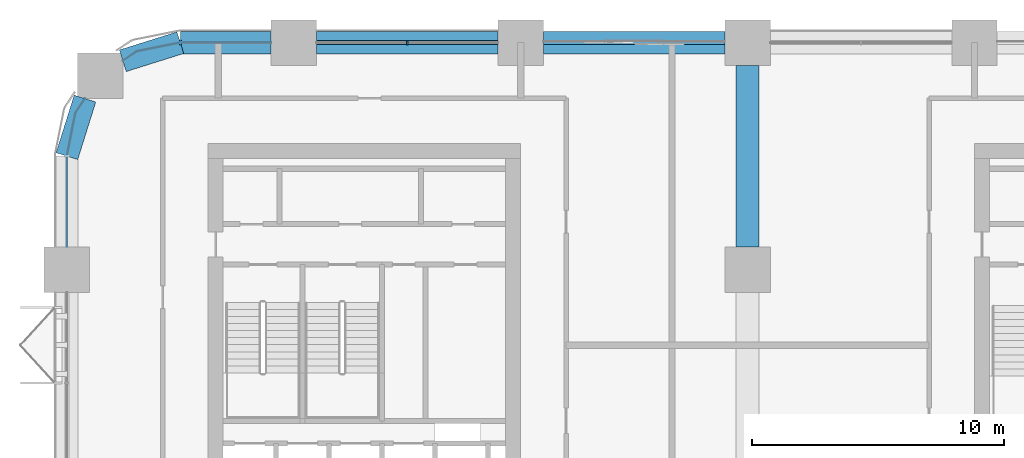
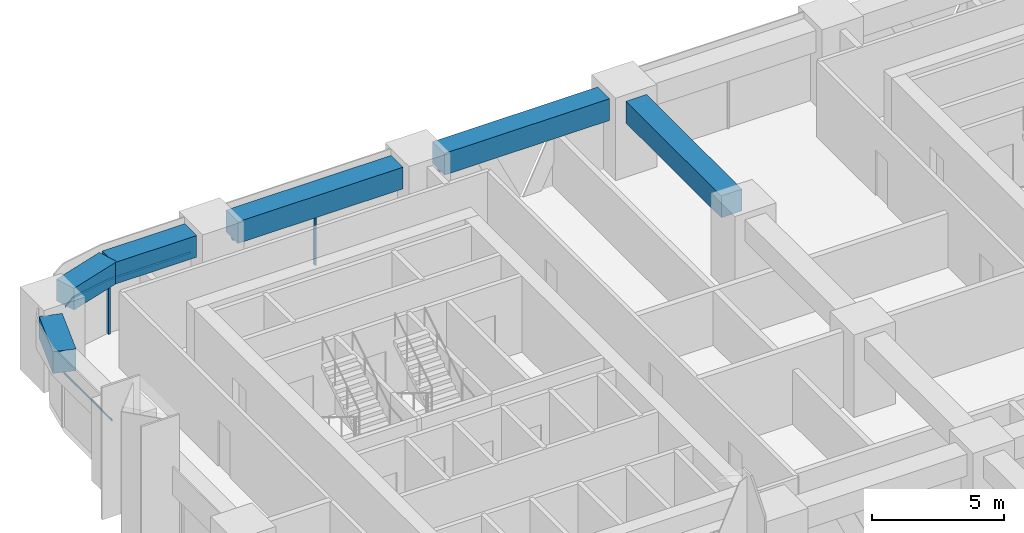
# One storey, part 7 of 18: 6 beams, 6 members, 4 elements without a shape of their own.
"""IFC4 building model written with IfcOpenShell, lengths in metres."""

from ifc_helpers import new_model, si_unit, direction, frame, origin, origin_2d, place, context, subcontext, project, spatial, polyline, rectangle, outline, extrude, material, material_profile, profile_set, type_object, element, aggregate, save


model = new_model("IFC4")

# Units and contexts
model_context = context("Model", 3, precision=1e-05, world=origin(), true_north=direction((0.0, 1.0)))
body_context = subcontext(model_context, "Body", "Model", "MODEL_VIEW")
ifc_project = project(units=[si_unit("LENGTHUNIT", "METRE"), si_unit("AREAUNIT", "SQUARE_METRE"), si_unit("VOLUMEUNIT", "CUBIC_METRE"), si_unit("PLANEANGLEUNIT", "RADIAN"), si_unit("MASSUNIT", "GRAM", prefix="KILO")], contexts=[model_context])

# Site, building, storey
site_placement = place(None, origin())
site = spatial("IfcSite", under=ifc_project, at=site_placement, CompositionType="ELEMENT")
building_placement = place(site_placement, origin())
building = spatial("IfcBuilding", under=site, at=building_placement, Name="Tessera Arch", CompositionType="ELEMENT")
storey_placement = place(building_placement, frame((0.0, 0.0, 115.800048828125)))
storey = spatial("IfcBuildingStorey", under=building, at=storey_placement, Name="L27", CompositionType="ELEMENT", Elevation=115.800048828125)

# Curtain wall, members
ifc_material_1 = material(Name="CW1 curtain wall")
curtain_wall_type_1 = type_object("IfcCurtainWallType", Name="CW1 curtain wall", PredefinedType="NOTDEFINED", material=ifc_material_1)
curtain_wall_1_placement = place(storey_placement, origin())
curtain_wall_1 = element("IfcCurtainWall", 1, at=curtain_wall_1_placement, inside=storey, type_object=curtain_wall_type_1, Name="CW1 curtain wall N54.0/3 L27", PredefinedType="NOTDEFINED")
ifc_material_2 = material(Name="Anodised aluminium pale metal", Category="aluminium")
ifc_material_profile_1 = material_profile(ifc_material_2, rectangle(XDim=0.159912109375, YDim=0.06005859375, at=origin_2d()), Name="AL 60x160")
ifc_profile_set_1 = profile_set([ifc_material_profile_1], Name="Anodised aluminium pale metal")
member_type_1 = type_object("IfcMemberType", Name="CW1 mullion", PredefinedType="MULLION", material=ifc_profile_set_1)
member_1_placement = place(storey_placement, frame((13.5, 54.0, 0.0), z_axis=(0.0, 0.0, 1.0), x_axis=(0.0, -1.0, 0.0)))
member_1 = element("IfcMember", 2, at=member_1_placement, type_object=member_type_1, Name="CW1 mullion N54.0/3 1", PredefinedType="MULLION", context=body_context, shape_type="SweptSolid", body=[
    extrude(rectangle(XDim=0.159912109375, YDim=0.06005859375, at=origin_2d()), origin(), (0.0, 0.0, 1.0), 2.39990234375),
])
ifc_material_3 = material(Name="Anodised aluminium pale metal", Category="aluminium")
ifc_material_profile_2 = material_profile(ifc_material_3, rectangle(XDim=0.159912109375, YDim=0.10009765625, at=origin_2d()), Name="AL 160x100")
ifc_profile_set_2 = profile_set([ifc_material_profile_2], Name="Anodised aluminium pale metal")
member_type_2 = type_object("IfcMemberType", Name="CW1 transom", PredefinedType="USERDEFINED", material=ifc_profile_set_2)
member_2_placement = place(storey_placement, frame((17.10009765625, 54.0, 2.449951171875), z_axis=(-1.0, 0.0, 0.0), x_axis=(0.0, -1.0, 0.0)))
member_2 = element("IfcMember", 3, at=member_2_placement, type_object=member_type_2, Name="CW1 transom N54.0/3 1.1", ObjectType="TRANSOM", PredefinedType="USERDEFINED", context=body_context, shape_type="SweptSolid", body=[
    extrude(rectangle(XDim=0.159912109375, YDim=0.10009765625, at=origin_2d()), origin(), (0.0, 0.0, 1.0), 7.2001953125),
])
aggregate(curtain_wall_1, [member_1, member_2])

ifc_material_4 = material(Name="CW2 curtain wall")
curtain_wall_type_2 = type_object("IfcCurtainWallType", Name="CW2 curtain wall", PredefinedType="NOTDEFINED", material=ifc_material_4)
curtain_wall_2_placement = place(storey_placement, origin())
curtain_wall_2 = element("IfcCurtainWall", 4, at=curtain_wall_2_placement, inside=storey, type_object=curtain_wall_type_2, Name="CW2 curtain wall N54.0/4 L27", PredefinedType="NOTDEFINED")
ifc_material_5 = material(Name="Anodised aluminium pale metal", Category="aluminium")
ifc_material_profile_3 = material_profile(ifc_material_5, rectangle(XDim=0.199951171875, YDim=0.080078125, at=origin_2d()), Name="AL 80x200")
ifc_profile_set_3 = profile_set([ifc_material_profile_3], Name="Anodised aluminium pale metal")
member_type_3 = type_object("IfcMemberType", Name="CW2 mullion", PredefinedType="MULLION", material=ifc_profile_set_3)
member_3_placement = place(storey_placement, frame((4.5, 54.0, 0.0), z_axis=(0.0, 0.0, 1.0), x_axis=(0.0, -1.0, 0.0)))
member_3 = element("IfcMember", 5, at=member_3_placement, type_object=member_type_3, Name="CW2 mullion N54.0/4 1", PredefinedType="MULLION", context=body_context, shape_type="SweptSolid", body=[
    extrude(rectangle(XDim=0.199951171875, YDim=0.080078125, at=origin_2d()), origin(), (0.0, 0.0, 1.0), 2.39990234375),
])
ifc_material_6 = material(Name="Anodised aluminium pale metal", Category="aluminium")
ifc_material_profile_4 = material_profile(ifc_material_6, rectangle(XDim=0.199951171875, YDim=0.10009765625, at=origin_2d()), Name="AL 200x100")
ifc_profile_set_4 = profile_set([ifc_material_profile_4], Name="Anodised aluminium pale metal")
member_type_4 = type_object("IfcMemberType", Name="CW2 transom", PredefinedType="USERDEFINED", material=ifc_profile_set_4)
member_4_placement = place(storey_placement, frame((0.0, 0.0, 2.39990234375)))
member_4 = element("IfcMember", 6, at=member_4_placement, type_object=member_type_4, Name="CW2 transom N54.0/4 1", ObjectType="TRANSOM", PredefinedType="USERDEFINED", context=body_context, shape_type="SweptSolid", body=[
    extrude(outline(polyline([(4.5009765625, 53.989990234375), (8.10009765625, 53.989990234375), (8.10009765625, 54.010009765625), (4.4990234375, 54.010009765625), (2.77392578125, 53.6669921875), (2.21240234375, 53.29150390625), (2.2236328125, 53.27490234375), (2.78173828125, 53.648193359375), (4.5009765625, 53.989990234375)])), origin(), (0.0, 0.0, 1.0), 0.10009765625),
])
aggregate(curtain_wall_2, [member_3, member_4])

# Curtain wall, member
curtain_wall_3_placement = place(storey_placement, origin())
curtain_wall_3 = element("IfcCurtainWall", 7, at=curtain_wall_3_placement, inside=storey, type_object=curtain_wall_type_2, Name="CW2 curtain wall W0.27/0 L27", PredefinedType="NOTDEFINED")
member_5_placement = place(storey_placement, frame((0.0, 0.0, 2.39990234375)))
member_5 = element("IfcMember", 8, at=member_5_placement, type_object=member_type_4, Name="CW2 transom W0.27/0 1", ObjectType="TRANSOM", PredefinedType="USERDEFINED", context=body_context, shape_type="SweptSolid", body=[
    extrude(outline(polyline([(0.351806640625, 51.21826171875), (0.72509765625, 51.7763671875), (0.70849609375, 51.78759765625), (0.3330078125, 51.22607421875), (-0.010009765625, 49.5009765625), (-0.010009765625, 45.89990234375), (0.010009765625, 45.89990234375), (0.010009765625, 49.4990234375), (0.351806640625, 51.21826171875)])), origin(), (0.0, 0.0, 1.0), 0.10009765625),
])
aggregate(curtain_wall_3, [member_5])

ifc_material_7 = material(Name="CW3 curtain wall")
curtain_wall_type_3 = type_object("IfcCurtainWallType", Name="CW3 curtain wall", PredefinedType="NOTDEFINED", material=ifc_material_7)
curtain_wall_4_placement = place(storey_placement, origin())
curtain_wall_4 = element("IfcCurtainWall", 9, at=curtain_wall_4_placement, inside=storey, type_object=curtain_wall_type_3, Name="CW3 curtain wall N54.0/2 L27", PredefinedType="NOTDEFINED")
ifc_material_8 = material(Name="Anodised aluminium pale metal", Category="aluminium")
ifc_material_profile_5 = material_profile(ifc_material_8, rectangle(XDim=0.139892578125, YDim=0.10009765625, at=origin_2d()), Name="AL 140x100")
ifc_profile_set_5 = profile_set([ifc_material_profile_5], Name="Anodised aluminium pale metal")
member_type_5 = type_object("IfcMemberType", Name="CW3 transom", PredefinedType="USERDEFINED", material=ifc_profile_set_5)
member_6_placement = place(storey_placement, frame((26.10009765625, 54.0, 2.449951171875), z_axis=(-1.0, 0.0, 0.0), x_axis=(0.0, -1.0, 0.0)))
member_6 = element("IfcMember", 10, at=member_6_placement, type_object=member_type_5, Name="CW3 transom N54.0/2 1.1", ObjectType="TRANSOM", PredefinedType="USERDEFINED", context=body_context, shape_type="SweptSolid", body=[
    extrude(rectangle(XDim=0.139892578125, YDim=0.10009765625, at=origin_2d()), origin(), (0.0, 0.0, 1.0), 7.2001953125),
])
aggregate(curtain_wall_4, [member_6])

# Beams
ifc_material_9 = material(Name="Concrete C80/95", Category="concrete")
ifc_material_profile_6 = material_profile(ifc_material_9, rectangle(XDim=0.89990234375, YDim=1.0, at=origin_2d()), Name="RC spandrel beam 900 x 1000 Concrete C80/95")
ifc_profile_set_6 = profile_set([ifc_material_profile_6], Name="Concrete C80/95")
beam_type = type_object("IfcBeamType", Name="RC spandrel beam 900 x 1000 Concrete C80/95", PredefinedType="BEAM", material=ifc_profile_set_6)
for number, where, z_axis, x_axis, name in (
    (11, (26.10009765625, 54.0, 3.0), (-1.0, 0.0, 0.0), (0.0, -1.0, 0.0), "Spandrel beam L27 N54.0/2"),
    (12, (17.10009765625, 54.0, 3.0), (-1.0, 0.0, 0.0), (0.0, -1.0, 0.0), "Spandrel beam L27 N54.0/3"),
):
    element("IfcBeam", number, at=place(storey_placement, frame(where, z_axis=z_axis, x_axis=x_axis)), inside=storey, type_object=beam_type, Name=name, PredefinedType="BEAM", context=body_context, shape_type="SweptSolid", body=[
        extrude(rectangle(XDim=0.89990234375, YDim=1.0, at=origin_2d()), origin(), (0.0, 0.0, 1.0), 7.2001953125),
    ])
beam_1_placement = place(storey_placement, frame((8.10009765625, 54.0, 3.0), z_axis=(-1.0, 0.0, 0.0), x_axis=(0.0, -1.0, 0.0)))
element("IfcBeam", 13, at=beam_1_placement, inside=storey, type_object=beam_type, Name="Spandrel beam L27 N54.0/4.1", PredefinedType="BEAM", context=body_context, shape_type="SweptSolid", body=[
    extrude(rectangle(XDim=0.89990234375, YDim=1.0, at=origin_2d()), origin(), (0.0, 0.0, 1.0), 3.60009765625),
])
for number, where, z_axis, x_axis, name in (
    (14, (4.5, 54.0, 3.0), (-0.954041251279, -0.299675309057, 0.0), (0.299675309057, -0.954041251279, 0.0), "Spandrel beam L27 N54.0/4.2"),
    (15, (0.716796875, 51.781982421875, 3.0), (-0.299675309057, -0.954041251279, 0.0), (0.954041251279, -0.299675309057, 0.0), "Spandrel beam L27 W0.27/0.1"),
):
    element("IfcBeam", number, at=place(storey_placement, frame(where, z_axis=z_axis, x_axis=x_axis)), inside=storey, type_object=beam_type, Name=name, PredefinedType="BEAM", context=body_context, shape_type="SweptSolid", body=[
        extrude(rectangle(XDim=0.89990234375, YDim=1.0, at=origin_2d()), origin(), (0.0, 0.0, 1.0), 2.391845703125),
    ])
beam_2_placement = place(storey_placement, frame((27.0, 45.89990234375, 3.0), z_axis=(0.0, 1.0, 0.0), x_axis=(-1.0, 0.0, 0.0)))
element("IfcBeam", 16, at=beam_2_placement, inside=storey, type_object=beam_type, Name="Interface beam L27 I0C4F-C4G", PredefinedType="BEAM", context=body_context, shape_type="SweptSolid", body=[
    extrude(rectangle(XDim=0.89990234375, YDim=1.0, at=origin_2d()), origin(), (0.0, 0.0, 1.0), 7.2001953125),
])

save(model, "model.ifc")
